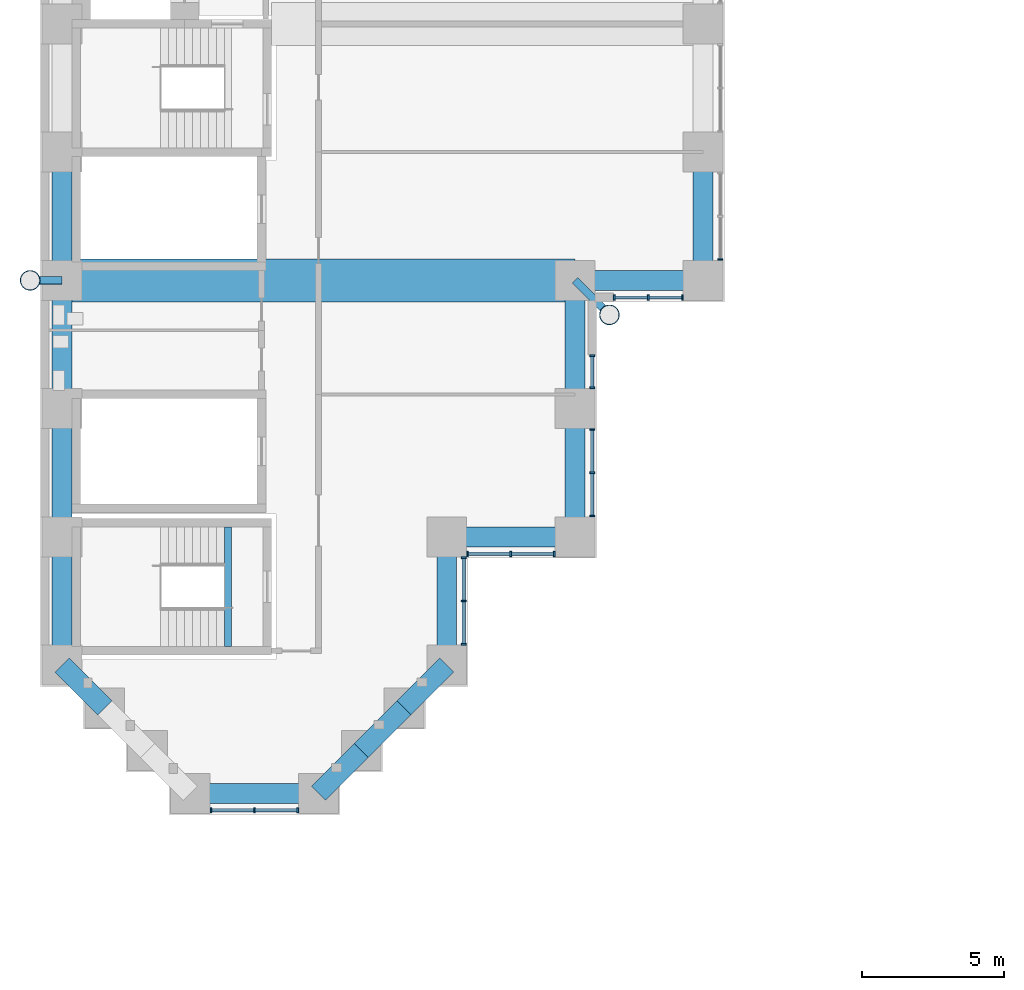
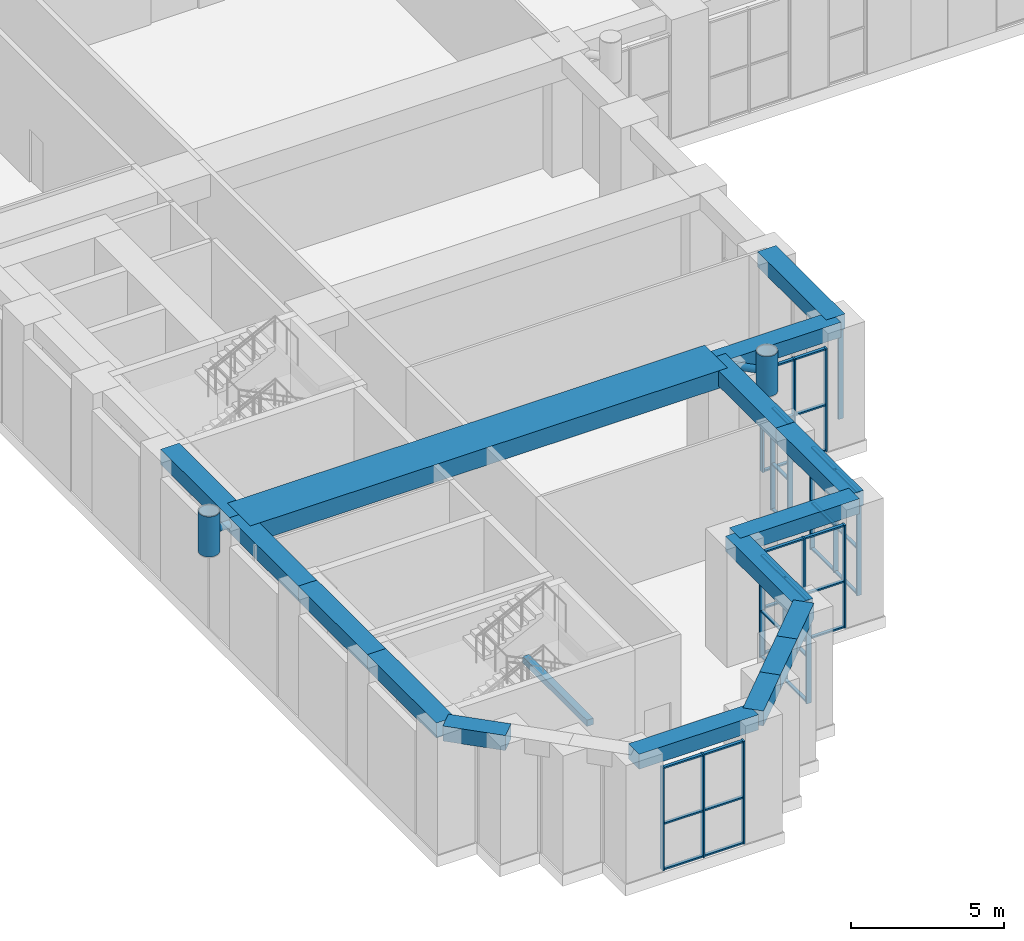
# One storey, part 2 of 35: 55 members, 17 beams, 7 elements without a shape of their own.
"""IFC4 building model written with IfcOpenShell, lengths in metres."""

from ifc_helpers import new_model, si_unit, direction, frame, origin, origin_2d, place, context, subcontext, project, spatial, rectangle, hollow_circle, extrude, material, material_profile, profile_set, type_object, element, aggregate, save


model = new_model("IFC4")

# Units and contexts
model_context = context("Model", 3, precision=1e-05, world=origin(), true_north=direction((0.0, 1.0)))
body_context = subcontext(model_context, "Body", "Model", "MODEL_VIEW")
ifc_project = project(units=[si_unit("LENGTHUNIT", "METRE"), si_unit("AREAUNIT", "SQUARE_METRE"), si_unit("VOLUMEUNIT", "CUBIC_METRE"), si_unit("PLANEANGLEUNIT", "RADIAN"), si_unit("MASSUNIT", "GRAM", prefix="KILO")], contexts=[model_context])

# Site, building, storey
site_placement = place(None, origin())
site = spatial("IfcSite", under=ifc_project, at=site_placement, CompositionType="ELEMENT")
building_placement = place(site_placement, origin())
building = spatial("IfcBuilding", under=site, at=building_placement, Name="Firuza Court", CompositionType="ELEMENT")
storey_placement = place(building_placement, frame((0.0, 0.0, 24.0)))
storey = spatial("IfcBuildingStorey", under=building, at=storey_placement, Name="L04", CompositionType="ELEMENT", Elevation=24.0)

# Beam
ifc_material_1 = material(Name="Concrete C40/50", Category="concrete")
ifc_material_profile_1 = material_profile(ifc_material_1, rectangle(XDim=1.5, YDim=0.699951171875, at=origin_2d()), Name="RC 1500x700")
ifc_profile_set_1 = profile_set([ifc_material_profile_1], Name="Concrete C40/50")
beam_type_1 = type_object("IfcBeamType", Name="Band beam RC 1500x700 C40/50", PredefinedType="BEAM", material=ifc_profile_set_1)
beam_1_placement = place(storey_placement, frame((0.0, 18.0, 4.35009765625), z_axis=(1.0, 0.0, 0.0), x_axis=(0.0, 1.0, 0.0)))
element("IfcBeam", 1, at=beam_1_placement, inside=storey, type_object=beam_type_1, Name="Band beam FB1 level L05", PredefinedType="BEAM", context=body_context, shape_type="SweptSolid", body=[
    extrude(rectangle(XDim=1.5, YDim=0.699951171875, at=origin_2d()), origin(), (0.0, 0.0, 1.0), 18.0),
])

# Members
ifc_material_2 = material(Name="Steel S355", Category="steel")
ifc_material_profile_2 = material_profile(ifc_material_2, hollow_circle(Radius=0.35546875, WallThickness=0.030029296875, at=origin_2d()), Name="CHS 711x30")
ifc_profile_set_2 = profile_set([ifc_material_profile_2], Name="Steel S355")
member_type_1 = type_object("IfcMemberType", Name="Diagrid node CHS 711x30 S355", PredefinedType="USERDEFINED", material=ifc_profile_set_2)
for number, where, z_axis, x_axis, name in (
    (2, (-1.1201171875, 18.0, 3.64990234375), (0.0, 0.0, 1.0), (1.0, 0.0, 0.0), "Diagrid node level L04"),
    (3, (19.2099609375, 16.7900390625, 3.64990234375), (0.0, 0.0, 1.0), (1.0, 0.0, 0.0), "Diagrid node level L04"),
):
    element("IfcMember", number, at=place(storey_placement, frame(where, z_axis=z_axis, x_axis=x_axis)), inside=storey, type_object=member_type_1, Name=name, ObjectType="DIAGRID NODE", PredefinedType="USERDEFINED", context=body_context, shape_type="SweptSolid", body=[
        extrude(hollow_circle(Radius=0.35546875, WallThickness=0.030029296875, at=origin_2d()), origin(), (0.0, 0.0, 1.0), 1.60009765625),
    ])
ifc_material_3 = material(Name="Steel S355", Category="steel")
ifc_material_profile_3 = material_profile(ifc_material_3, hollow_circle(Radius=0.136474609375, WallThickness=0.012451171875, at=origin_2d()), Name="CHS 273x12.5")
ifc_profile_set_3 = profile_set([ifc_material_profile_3], Name="Steel S355")
member_type_2 = type_object("IfcMemberType", Name="Diagrid tie CHS 273x12.5 S355", PredefinedType="STRUT", material=ifc_profile_set_3)
member_1_placement = place(storey_placement, frame((0.0, 18.0, 4.449951171875), z_axis=(-1.0, 0.0, 0.0), x_axis=(0.0, -1.0, 0.0)))
element("IfcMember", 4, at=member_1_placement, inside=storey, type_object=member_type_2, Name="Diagrid tie level L05", PredefinedType="STRUT", context=body_context, shape_type="SweptSolid", body=[
    extrude(hollow_circle(Radius=0.136474609375, WallThickness=0.012451171875, at=origin_2d()), origin(), (0.0, 0.0, 1.0), 1.1201171875),
])
member_2_placement = place(storey_placement, frame((18.0, 18.0, 4.449951171875), z_axis=(0.707106781187, -0.707106781187, 0.0), x_axis=(0.707106781187, 0.707106781187, 0.0)))
element("IfcMember", 5, at=member_2_placement, inside=storey, type_object=member_type_2, Name="Diagrid tie level L05", PredefinedType="STRUT", context=body_context, shape_type="SweptSolid", body=[
    extrude(hollow_circle(Radius=0.136474609375, WallThickness=0.012451171875, at=origin_2d()), origin(), (0.0, 0.0, 1.0), 1.711181640625),
])

# Beam
ifc_material_4 = material(Name="Concrete C40/50", Category="concrete")
ifc_material_profile_4 = material_profile(ifc_material_4, rectangle(XDim=0.25, YDim=0.25, at=origin_2d()), Name="RC 250x250")
ifc_profile_set_4 = profile_set([ifc_material_profile_4], Name="Concrete C40/50")
beam_type_2 = type_object("IfcBeamType", Name="Landing beam RC 250x250 C40/50", PredefinedType="BEAM", material=ifc_profile_set_4)
beam_2_placement = place(storey_placement, frame((5.824951171875, 5.14990234375, 2.175048828125), z_axis=(0.0, 1.0, 0.0), x_axis=(-1.0, 0.0, 0.0)))
element("IfcBeam", 6, at=beam_2_placement, inside=storey, type_object=beam_type_2, Name="Landing beam S5 L04", PredefinedType="BEAM", context=body_context, shape_type="SweptSolid", body=[
    extrude(rectangle(XDim=0.25, YDim=0.25, at=origin_2d()), origin(), (0.0, 0.0, 1.0), 4.2001953125),
])

# Curtain wall, members
ifc_material_5 = material(Name="Aluminium curtain wall, triple clear glazing", Category="aluminium")
curtain_wall_type = type_object("IfcCurtainWallType", Name="Podium unitised curtain wall CW1", PredefinedType="NOTDEFINED", material=ifc_material_5)
curtain_wall_1_placement = place(storey_placement, origin())
curtain_wall_1 = element("IfcCurtainWall", 7, at=curtain_wall_1_placement, inside=storey, type_object=curtain_wall_type, Name="Podium unitised curtain wall CW1 L04", PredefinedType="NOTDEFINED")
ifc_material_6 = material(Name="Aluminium EN AW-6060 T66", Category="aluminium")
ifc_material_profile_5 = material_profile(ifc_material_6, rectangle(XDim=0.179931640625, YDim=0.06005859375, at=origin_2d()), Name="Mullion 180 x 60 CW1")
ifc_profile_set_5 = profile_set([ifc_material_profile_5], Name="Aluminium EN AW-6060 T66")
member_type_3 = type_object("IfcMemberType", Name="Mullion 180 x 60 CW1", PredefinedType="MULLION", material=ifc_profile_set_5)
member_3_placement = place(storey_placement, frame((14.10009765625, 5.22998046875, 0.0), z_axis=(0.0, 0.0, 1.0), x_axis=(-1.0, 0.0, 0.0)))
member_3 = element("IfcMember", 8, at=member_3_placement, type_object=member_type_3, Name="CW1 mullion 1", PredefinedType="MULLION", context=body_context, shape_type="SweptSolid", body=[
    extrude(rectangle(XDim=0.179931640625, YDim=0.06005859375, at=origin_2d()), origin(), (0.0, 0.0, 1.0), 4.10009765625),
])
member_4_placement = place(storey_placement, frame((14.10009765625, 6.75, 0.0), z_axis=(0.0, 0.0, 1.0), x_axis=(-1.0, 0.0, 0.0)))
member_4 = element("IfcMember", 9, at=member_4_placement, type_object=member_type_3, Name="CW1 mullion 2", PredefinedType="MULLION", context=body_context, shape_type="SweptSolid", body=[
    extrude(rectangle(XDim=0.179931640625, YDim=0.06005859375, at=origin_2d()), origin(), (0.0, 0.0, 1.0), 4.10009765625),
])
member_5_placement = place(storey_placement, frame((14.10009765625, 8.27001953125, 0.0), z_axis=(0.0, 0.0, 1.0), x_axis=(-1.0, 0.0, 0.0)))
member_5 = element("IfcMember", 10, at=member_5_placement, type_object=member_type_3, Name="CW1 mullion 3", PredefinedType="MULLION", context=body_context, shape_type="SweptSolid", body=[
    extrude(rectangle(XDim=0.179931640625, YDim=0.06005859375, at=origin_2d()), origin(), (0.0, 0.0, 1.0), 4.10009765625),
])

curtain_wall_2_placement = place(storey_placement, origin())
curtain_wall_2 = element("IfcCurtainWall", 11, at=curtain_wall_2_placement, inside=storey, type_object=curtain_wall_type, Name="Podium unitised curtain wall CW1 L04", PredefinedType="NOTDEFINED")
member_6_placement = place(storey_placement, frame((14.22998046875, 8.39990234375, 0.0), z_axis=(0.0, 0.0, 1.0), x_axis=(0.0, 1.0, 0.0)))
member_6 = element("IfcMember", 12, at=member_6_placement, type_object=member_type_3, Name="CW1 mullion 1", PredefinedType="MULLION", context=body_context, shape_type="SweptSolid", body=[
    extrude(rectangle(XDim=0.179931640625, YDim=0.06005859375, at=origin_2d()), origin(), (0.0, 0.0, 1.0), 4.10009765625),
])
member_7_placement = place(storey_placement, frame((15.75, 8.39990234375, 0.0), z_axis=(0.0, 0.0, 1.0), x_axis=(0.0, 1.0, 0.0)))
member_7 = element("IfcMember", 13, at=member_7_placement, type_object=member_type_3, Name="CW1 mullion 2", PredefinedType="MULLION", context=body_context, shape_type="SweptSolid", body=[
    extrude(rectangle(XDim=0.179931640625, YDim=0.06005859375, at=origin_2d()), origin(), (0.0, 0.0, 1.0), 4.10009765625),
])
member_8_placement = place(storey_placement, frame((17.27001953125, 8.39990234375, 0.0), z_axis=(0.0, 0.0, 1.0), x_axis=(0.0, 1.0, 0.0)))
member_8 = element("IfcMember", 14, at=member_8_placement, type_object=member_type_3, Name="CW1 mullion 3", PredefinedType="MULLION", context=body_context, shape_type="SweptSolid", body=[
    extrude(rectangle(XDim=0.179931640625, YDim=0.06005859375, at=origin_2d()), origin(), (0.0, 0.0, 1.0), 4.10009765625),
])

curtain_wall_3_placement = place(storey_placement, origin())
curtain_wall_3 = element("IfcCurtainWall", 15, at=curtain_wall_3_placement, inside=storey, type_object=curtain_wall_type, Name="Podium unitised curtain wall CW1 L04", PredefinedType="NOTDEFINED")
member_9_placement = place(storey_placement, frame((18.60009765625, 9.72998046875, 0.0), z_axis=(0.0, 0.0, 1.0), x_axis=(-1.0, 0.0, 0.0)))
member_9 = element("IfcMember", 16, at=member_9_placement, type_object=member_type_3, Name="CW1 mullion 1", PredefinedType="MULLION", context=body_context, shape_type="SweptSolid", body=[
    extrude(rectangle(XDim=0.179931640625, YDim=0.06005859375, at=origin_2d()), origin(), (0.0, 0.0, 1.0), 4.10009765625),
])
member_10_placement = place(storey_placement, frame((18.60009765625, 11.25, 0.0), z_axis=(0.0, 0.0, 1.0), x_axis=(-1.0, 0.0, 0.0)))
member_10 = element("IfcMember", 17, at=member_10_placement, type_object=member_type_3, Name="CW1 mullion 2", PredefinedType="MULLION", context=body_context, shape_type="SweptSolid", body=[
    extrude(rectangle(XDim=0.179931640625, YDim=0.06005859375, at=origin_2d()), origin(), (0.0, 0.0, 1.0), 4.10009765625),
])
member_11_placement = place(storey_placement, frame((18.60009765625, 12.77001953125, 0.0), z_axis=(0.0, 0.0, 1.0), x_axis=(-1.0, 0.0, 0.0)))
member_11 = element("IfcMember", 18, at=member_11_placement, type_object=member_type_3, Name="CW1 mullion 3", PredefinedType="MULLION", context=body_context, shape_type="SweptSolid", body=[
    extrude(rectangle(XDim=0.179931640625, YDim=0.06005859375, at=origin_2d()), origin(), (0.0, 0.0, 1.0), 4.10009765625),
])

curtain_wall_4_placement = place(storey_placement, origin())
curtain_wall_4 = element("IfcCurtainWall", 19, at=curtain_wall_4_placement, inside=storey, type_object=curtain_wall_type, Name="Podium unitised curtain wall CW1 L04", PredefinedType="NOTDEFINED")
member_12_placement = place(storey_placement, frame((18.60009765625, 14.22998046875, 0.0), z_axis=(0.0, 0.0, 1.0), x_axis=(-1.0, 0.0, 0.0)))
member_12 = element("IfcMember", 20, at=member_12_placement, type_object=member_type_3, Name="CW1 mullion 1", PredefinedType="MULLION", context=body_context, shape_type="SweptSolid", body=[
    extrude(rectangle(XDim=0.179931640625, YDim=0.06005859375, at=origin_2d()), origin(), (0.0, 0.0, 1.0), 4.10009765625),
])
member_13_placement = place(storey_placement, frame((18.60009765625, 15.351806640625, 0.0), z_axis=(0.0, 0.0, 1.0), x_axis=(-1.0, 0.0, 0.0)))
member_13 = element("IfcMember", 21, at=member_13_placement, type_object=member_type_3, Name="CW1 mullion 2", PredefinedType="MULLION", context=body_context, shape_type="SweptSolid", body=[
    extrude(rectangle(XDim=0.179931640625, YDim=0.06005859375, at=origin_2d()), origin(), (0.0, 0.0, 1.0), 4.10009765625),
])

curtain_wall_5_placement = place(storey_placement, origin())
curtain_wall_5 = element("IfcCurtainWall", 22, at=curtain_wall_5_placement, inside=storey, type_object=curtain_wall_type, Name="Podium unitised curtain wall CW1 L04", PredefinedType="NOTDEFINED")
member_14_placement = place(storey_placement, frame((19.3798828125, 17.39990234375, 0.0), z_axis=(0.0, 0.0, 1.0), x_axis=(0.0, 1.0, 0.0)))
member_14 = element("IfcMember", 23, at=member_14_placement, type_object=member_type_3, Name="CW1 mullion 1", PredefinedType="MULLION", context=body_context, shape_type="SweptSolid", body=[
    extrude(rectangle(XDim=0.179931640625, YDim=0.06005859375, at=origin_2d()), origin(), (0.0, 0.0, 1.0), 4.10009765625),
])
member_15_placement = place(storey_placement, frame((20.574951171875, 17.39990234375, 0.0), z_axis=(0.0, 0.0, 1.0), x_axis=(0.0, 1.0, 0.0)))
member_15 = element("IfcMember", 24, at=member_15_placement, type_object=member_type_3, Name="CW1 mullion 2", PredefinedType="MULLION", context=body_context, shape_type="SweptSolid", body=[
    extrude(rectangle(XDim=0.179931640625, YDim=0.06005859375, at=origin_2d()), origin(), (0.0, 0.0, 1.0), 4.10009765625),
])
member_16_placement = place(storey_placement, frame((21.77001953125, 17.39990234375, 0.0), z_axis=(0.0, 0.0, 1.0), x_axis=(0.0, 1.0, 0.0)))
member_16 = element("IfcMember", 25, at=member_16_placement, type_object=member_type_3, Name="CW1 mullion 3", PredefinedType="MULLION", context=body_context, shape_type="SweptSolid", body=[
    extrude(rectangle(XDim=0.179931640625, YDim=0.06005859375, at=origin_2d()), origin(), (0.0, 0.0, 1.0), 4.10009765625),
])

# Curtain wall, member
curtain_wall_6_placement = place(storey_placement, origin())
curtain_wall_6 = element("IfcCurtainWall", 26, at=curtain_wall_6_placement, inside=storey, type_object=curtain_wall_type, Name="Podium unitised curtain wall CW1 L04", PredefinedType="NOTDEFINED")
member_17_placement = place(storey_placement, frame((23.10009765625, 18.72998046875, 0.0), z_axis=(0.0, 0.0, 1.0), x_axis=(-1.0, 0.0, 0.0)))
member_17 = element("IfcMember", 27, at=member_17_placement, type_object=member_type_3, Name="CW1 mullion 1", PredefinedType="MULLION", context=body_context, shape_type="SweptSolid", body=[
    extrude(rectangle(XDim=0.179931640625, YDim=0.06005859375, at=origin_2d()), origin(), (0.0, 0.0, 1.0), 4.10009765625),
])
aggregate(curtain_wall_6, [member_17])

# Curtain wall, members
curtain_wall_7_placement = place(storey_placement, origin())
curtain_wall_7 = element("IfcCurtainWall", 28, at=curtain_wall_7_placement, inside=storey, type_object=curtain_wall_type, Name="Podium unitised curtain wall CW1 L04", PredefinedType="NOTDEFINED")
member_18_placement = place(storey_placement, frame((5.22998046875, -0.60009765625, 0.0), z_axis=(0.0, 0.0, 1.0), x_axis=(0.0, 1.0, 0.0)))
member_18 = element("IfcMember", 29, at=member_18_placement, type_object=member_type_3, Name="CW1 mullion 1", PredefinedType="MULLION", context=body_context, shape_type="SweptSolid", body=[
    extrude(rectangle(XDim=0.179931640625, YDim=0.06005859375, at=origin_2d()), origin(), (0.0, 0.0, 1.0), 4.10009765625),
])
member_19_placement = place(storey_placement, frame((6.75, -0.60009765625, 0.0), z_axis=(0.0, 0.0, 1.0), x_axis=(0.0, 1.0, 0.0)))
member_19 = element("IfcMember", 30, at=member_19_placement, type_object=member_type_3, Name="CW1 mullion 2", PredefinedType="MULLION", context=body_context, shape_type="SweptSolid", body=[
    extrude(rectangle(XDim=0.179931640625, YDim=0.06005859375, at=origin_2d()), origin(), (0.0, 0.0, 1.0), 4.10009765625),
])
member_20_placement = place(storey_placement, frame((8.27001953125, -0.60009765625, 0.0), z_axis=(0.0, 0.0, 1.0), x_axis=(0.0, 1.0, 0.0)))
member_20 = element("IfcMember", 31, at=member_20_placement, type_object=member_type_3, Name="CW1 mullion 3", PredefinedType="MULLION", context=body_context, shape_type="SweptSolid", body=[
    extrude(rectangle(XDim=0.179931640625, YDim=0.06005859375, at=origin_2d()), origin(), (0.0, 0.0, 1.0), 4.10009765625),
])

# Beams
ifc_material_7 = material(Name="Concrete C40/50", Category="concrete")
ifc_material_profile_6 = material_profile(ifc_material_7, rectangle(XDim=0.699951171875, YDim=0.60009765625, at=origin_2d()), Name="RC 700x600")
ifc_profile_set_6 = profile_set([ifc_material_profile_6], Name="Concrete C40/50")
beam_type_3 = type_object("IfcBeamType", Name="Spandrel beam RC 700x600 C40/50", PredefinedType="BEAM", material=ifc_profile_set_6)
beam_3_placement = place(storey_placement, frame((0.0, 4.5, 4.39990234375), z_axis=(0.707106781187, -0.707106781187, 0.0), x_axis=(0.707106781187, 0.707106781187, 0.0)))
element("IfcBeam", 32, at=beam_3_placement, inside=storey, type_object=beam_type_3, Name="Spandrel beam SP10 level L05", PredefinedType="BEAM", context=body_context, shape_type="SweptSolid", body=[
    extrude(rectangle(XDim=0.699951171875, YDim=0.60009765625, at=origin_2d()), origin(), (0.0, 0.0, 1.0), 2.121337890625),
])
for number, where, z_axis, x_axis, name in (
    (33, (0.0, 9.0, 4.39990234375), (0.0, -1.0, 0.0), (1.0, 0.0, 0.0), "Spandrel beam SP10 level L05"),
    (34, (0.0, 13.5, 4.39990234375), (0.0, -1.0, 0.0), (1.0, 0.0, 0.0), "Spandrel beam SP10 level L05"),
    (35, (0.0, 18.0, 4.39990234375), (0.0, -1.0, 0.0), (1.0, 0.0, 0.0), "Spandrel beam SP10 level L05"),
    (36, (0.0, 22.5, 4.39990234375), (0.0, -1.0, 0.0), (1.0, 0.0, 0.0), "Spandrel beam SP10 level L05"),
    (37, (4.5, 0.0, 4.39990234375), (1.0, 0.0, 0.0), (0.0, 1.0, 0.0), "Spandrel beam SP10 level L05"),
):
    element("IfcBeam", number, at=place(storey_placement, frame(where, z_axis=z_axis, x_axis=x_axis)), inside=storey, type_object=beam_type_3, Name=name, PredefinedType="BEAM", context=body_context, shape_type="SweptSolid", body=[
        extrude(rectangle(XDim=0.699951171875, YDim=0.60009765625, at=origin_2d()), origin(), (0.0, 0.0, 1.0), 4.5),
    ])
for number, where, z_axis, x_axis, name in (
    (38, (9.0, 0.0, 4.39990234375), (0.707106781187, 0.707106781187, 0.0), (-0.707106781187, 0.707106781187, 0.0), "Spandrel beam SP10 level L05"),
    (39, (10.5, 1.5, 4.39990234375), (0.707106781187, 0.707106781187, 0.0), (-0.707106781187, 0.707106781187, 0.0), "Spandrel beam SP10 level L05"),
    (40, (12.0, 3.0, 4.39990234375), (0.707106781187, 0.707106781187, 0.0), (-0.707106781187, 0.707106781187, 0.0), "Spandrel beam SP10 level L05"),
):
    element("IfcBeam", number, at=place(storey_placement, frame(where, z_axis=z_axis, x_axis=x_axis)), inside=storey, type_object=beam_type_3, Name=name, PredefinedType="BEAM", context=body_context, shape_type="SweptSolid", body=[
        extrude(rectangle(XDim=0.699951171875, YDim=0.60009765625, at=origin_2d()), origin(), (0.0, 0.0, 1.0), 2.121337890625),
    ])
for number, where, z_axis, x_axis, name in (
    (41, (13.5, 4.5, 4.39990234375), (0.0, 1.0, 0.0), (-1.0, 0.0, 0.0), "Spandrel beam SP10 level L05"),
    (42, (13.5, 9.0, 4.39990234375), (1.0, 0.0, 0.0), (0.0, 1.0, 0.0), "Spandrel beam SP10 level L05"),
    (43, (18.0, 9.0, 4.39990234375), (0.0, 1.0, 0.0), (-1.0, 0.0, 0.0), "Spandrel beam SP10 level L05"),
    (44, (18.0, 13.5, 4.39990234375), (0.0, 1.0, 0.0), (-1.0, 0.0, 0.0), "Spandrel beam SP10 level L05"),
    (45, (18.0, 18.0, 4.39990234375), (1.0, 0.0, 0.0), (0.0, 1.0, 0.0), "Spandrel beam SP10 level L05"),
    (46, (22.5, 18.0, 4.39990234375), (0.0, 1.0, 0.0), (-1.0, 0.0, 0.0), "Spandrel beam SP10 level L05"),
):
    element("IfcBeam", number, at=place(storey_placement, frame(where, z_axis=z_axis, x_axis=x_axis)), inside=storey, type_object=beam_type_3, Name=name, PredefinedType="BEAM", context=body_context, shape_type="SweptSolid", body=[
        extrude(rectangle(XDim=0.699951171875, YDim=0.60009765625, at=origin_2d()), origin(), (0.0, 0.0, 1.0), 4.5),
    ])

# Member
ifc_material_8 = material(Name="Aluminium EN AW-6060 T66", Category="aluminium")
ifc_material_profile_7 = material_profile(ifc_material_8, rectangle(XDim=0.1201171875, YDim=0.06005859375, at=origin_2d()), Name="Transom 120 x 60 CW1")
ifc_profile_set_7 = profile_set([ifc_material_profile_7], Name="Aluminium EN AW-6060 T66")
member_type_4 = type_object("IfcMemberType", Name="Transom 120 x 60 CW1", PredefinedType="USERDEFINED", material=ifc_profile_set_7)
member_21_placement = place(storey_placement, frame((14.10009765625, 5.260009765625, 0.030029296875), z_axis=(0.0, 1.0, 0.0), x_axis=(-1.0, 0.0, 0.0)))
member_21 = element("IfcMember", 47, at=member_21_placement, type_object=member_type_4, Name="CW1 transom 1.1", ObjectType="TRANSOM", PredefinedType="USERDEFINED", context=body_context, shape_type="SweptSolid", body=[
    extrude(rectangle(XDim=0.1201171875, YDim=0.06005859375, at=origin_2d()), origin(), (0.0, 0.0, 1.0), 1.4599609375),
])

member_22_placement = place(storey_placement, frame((14.10009765625, 5.260009765625, 1.844970703125), z_axis=(0.0, 1.0, 0.0), x_axis=(-1.0, 0.0, 0.0)))
member_22 = element("IfcMember", 48, at=member_22_placement, type_object=member_type_4, Name="CW1 transom 1.2", ObjectType="TRANSOM", PredefinedType="USERDEFINED", context=body_context, shape_type="SweptSolid", body=[
    extrude(rectangle(XDim=0.1201171875, YDim=0.06005859375, at=origin_2d()), origin(), (0.0, 0.0, 1.0), 1.4599609375),
])

member_23_placement = place(storey_placement, frame((14.10009765625, 5.260009765625, 4.070068359375), z_axis=(0.0, 1.0, 0.0), x_axis=(-1.0, 0.0, 0.0)))
member_23 = element("IfcMember", 49, at=member_23_placement, type_object=member_type_4, Name="CW1 transom 1.3", ObjectType="TRANSOM", PredefinedType="USERDEFINED", context=body_context, shape_type="SweptSolid", body=[
    extrude(rectangle(XDim=0.1201171875, YDim=0.06005859375, at=origin_2d()), origin(), (0.0, 0.0, 1.0), 1.4599609375),
])

member_24_placement = place(storey_placement, frame((14.10009765625, 6.780029296875, 0.030029296875), z_axis=(0.0, 1.0, 0.0), x_axis=(-1.0, 0.0, 0.0)))
member_24 = element("IfcMember", 50, at=member_24_placement, type_object=member_type_4, Name="CW1 transom 2.1", ObjectType="TRANSOM", PredefinedType="USERDEFINED", context=body_context, shape_type="SweptSolid", body=[
    extrude(rectangle(XDim=0.1201171875, YDim=0.06005859375, at=origin_2d()), origin(), (0.0, 0.0, 1.0), 1.4599609375),
])

member_25_placement = place(storey_placement, frame((14.10009765625, 6.780029296875, 1.844970703125), z_axis=(0.0, 1.0, 0.0), x_axis=(-1.0, 0.0, 0.0)))
member_25 = element("IfcMember", 51, at=member_25_placement, type_object=member_type_4, Name="CW1 transom 2.2", ObjectType="TRANSOM", PredefinedType="USERDEFINED", context=body_context, shape_type="SweptSolid", body=[
    extrude(rectangle(XDim=0.1201171875, YDim=0.06005859375, at=origin_2d()), origin(), (0.0, 0.0, 1.0), 1.4599609375),
])

member_26_placement = place(storey_placement, frame((14.10009765625, 6.780029296875, 4.070068359375), z_axis=(0.0, 1.0, 0.0), x_axis=(-1.0, 0.0, 0.0)))
member_26 = element("IfcMember", 52, at=member_26_placement, type_object=member_type_4, Name="CW1 transom 2.3", ObjectType="TRANSOM", PredefinedType="USERDEFINED", context=body_context, shape_type="SweptSolid", body=[
    extrude(rectangle(XDim=0.1201171875, YDim=0.06005859375, at=origin_2d()), origin(), (0.0, 0.0, 1.0), 1.4599609375),
])

aggregate(curtain_wall_1, [member_3, member_4, member_5, member_21, member_22, member_23, member_24, member_25, member_26])

member_27_placement = place(storey_placement, frame((14.260009765625, 8.39990234375, 0.030029296875), z_axis=(1.0, 0.0, 0.0), x_axis=(0.0, 1.0, 0.0)))
member_27 = element("IfcMember", 53, at=member_27_placement, type_object=member_type_4, Name="CW1 transom 1.1", ObjectType="TRANSOM", PredefinedType="USERDEFINED", context=body_context, shape_type="SweptSolid", body=[
    extrude(rectangle(XDim=0.1201171875, YDim=0.06005859375, at=origin_2d()), origin(), (0.0, 0.0, 1.0), 1.4599609375),
])

member_28_placement = place(storey_placement, frame((14.260009765625, 8.39990234375, 1.844970703125), z_axis=(1.0, 0.0, 0.0), x_axis=(0.0, 1.0, 0.0)))
member_28 = element("IfcMember", 54, at=member_28_placement, type_object=member_type_4, Name="CW1 transom 1.2", ObjectType="TRANSOM", PredefinedType="USERDEFINED", context=body_context, shape_type="SweptSolid", body=[
    extrude(rectangle(XDim=0.1201171875, YDim=0.06005859375, at=origin_2d()), origin(), (0.0, 0.0, 1.0), 1.4599609375),
])

member_29_placement = place(storey_placement, frame((14.260009765625, 8.39990234375, 4.070068359375), z_axis=(1.0, 0.0, 0.0), x_axis=(0.0, 1.0, 0.0)))
member_29 = element("IfcMember", 55, at=member_29_placement, type_object=member_type_4, Name="CW1 transom 1.3", ObjectType="TRANSOM", PredefinedType="USERDEFINED", context=body_context, shape_type="SweptSolid", body=[
    extrude(rectangle(XDim=0.1201171875, YDim=0.06005859375, at=origin_2d()), origin(), (0.0, 0.0, 1.0), 1.4599609375),
])

member_30_placement = place(storey_placement, frame((15.780029296875, 8.39990234375, 0.030029296875), z_axis=(1.0, 0.0, 0.0), x_axis=(0.0, 1.0, 0.0)))
member_30 = element("IfcMember", 56, at=member_30_placement, type_object=member_type_4, Name="CW1 transom 2.1", ObjectType="TRANSOM", PredefinedType="USERDEFINED", context=body_context, shape_type="SweptSolid", body=[
    extrude(rectangle(XDim=0.1201171875, YDim=0.06005859375, at=origin_2d()), origin(), (0.0, 0.0, 1.0), 1.4599609375),
])

member_31_placement = place(storey_placement, frame((15.780029296875, 8.39990234375, 1.844970703125), z_axis=(1.0, 0.0, 0.0), x_axis=(0.0, 1.0, 0.0)))
member_31 = element("IfcMember", 57, at=member_31_placement, type_object=member_type_4, Name="CW1 transom 2.2", ObjectType="TRANSOM", PredefinedType="USERDEFINED", context=body_context, shape_type="SweptSolid", body=[
    extrude(rectangle(XDim=0.1201171875, YDim=0.06005859375, at=origin_2d()), origin(), (0.0, 0.0, 1.0), 1.4599609375),
])

member_32_placement = place(storey_placement, frame((15.780029296875, 8.39990234375, 4.070068359375), z_axis=(1.0, 0.0, 0.0), x_axis=(0.0, 1.0, 0.0)))
member_32 = element("IfcMember", 58, at=member_32_placement, type_object=member_type_4, Name="CW1 transom 2.3", ObjectType="TRANSOM", PredefinedType="USERDEFINED", context=body_context, shape_type="SweptSolid", body=[
    extrude(rectangle(XDim=0.1201171875, YDim=0.06005859375, at=origin_2d()), origin(), (0.0, 0.0, 1.0), 1.4599609375),
])

aggregate(curtain_wall_2, [member_6, member_7, member_8, member_27, member_28, member_29, member_30, member_31, member_32])

member_33_placement = place(storey_placement, frame((18.60009765625, 9.760009765625, 0.030029296875), z_axis=(0.0, 1.0, 0.0), x_axis=(-1.0, 0.0, 0.0)))
member_33 = element("IfcMember", 59, at=member_33_placement, type_object=member_type_4, Name="CW1 transom 1.1", ObjectType="TRANSOM", PredefinedType="USERDEFINED", context=body_context, shape_type="SweptSolid", body=[
    extrude(rectangle(XDim=0.1201171875, YDim=0.06005859375, at=origin_2d()), origin(), (0.0, 0.0, 1.0), 1.4599609375),
])

member_34_placement = place(storey_placement, frame((18.60009765625, 9.760009765625, 1.844970703125), z_axis=(0.0, 1.0, 0.0), x_axis=(-1.0, 0.0, 0.0)))
member_34 = element("IfcMember", 60, at=member_34_placement, type_object=member_type_4, Name="CW1 transom 1.2", ObjectType="TRANSOM", PredefinedType="USERDEFINED", context=body_context, shape_type="SweptSolid", body=[
    extrude(rectangle(XDim=0.1201171875, YDim=0.06005859375, at=origin_2d()), origin(), (0.0, 0.0, 1.0), 1.4599609375),
])

member_35_placement = place(storey_placement, frame((18.60009765625, 9.760009765625, 4.070068359375), z_axis=(0.0, 1.0, 0.0), x_axis=(-1.0, 0.0, 0.0)))
member_35 = element("IfcMember", 61, at=member_35_placement, type_object=member_type_4, Name="CW1 transom 1.3", ObjectType="TRANSOM", PredefinedType="USERDEFINED", context=body_context, shape_type="SweptSolid", body=[
    extrude(rectangle(XDim=0.1201171875, YDim=0.06005859375, at=origin_2d()), origin(), (0.0, 0.0, 1.0), 1.4599609375),
])

member_36_placement = place(storey_placement, frame((18.60009765625, 11.280029296875, 0.030029296875), z_axis=(0.0, 1.0, 0.0), x_axis=(-1.0, 0.0, 0.0)))
member_36 = element("IfcMember", 62, at=member_36_placement, type_object=member_type_4, Name="CW1 transom 2.1", ObjectType="TRANSOM", PredefinedType="USERDEFINED", context=body_context, shape_type="SweptSolid", body=[
    extrude(rectangle(XDim=0.1201171875, YDim=0.06005859375, at=origin_2d()), origin(), (0.0, 0.0, 1.0), 1.4599609375),
])

member_37_placement = place(storey_placement, frame((18.60009765625, 11.280029296875, 1.844970703125), z_axis=(0.0, 1.0, 0.0), x_axis=(-1.0, 0.0, 0.0)))
member_37 = element("IfcMember", 63, at=member_37_placement, type_object=member_type_4, Name="CW1 transom 2.2", ObjectType="TRANSOM", PredefinedType="USERDEFINED", context=body_context, shape_type="SweptSolid", body=[
    extrude(rectangle(XDim=0.1201171875, YDim=0.06005859375, at=origin_2d()), origin(), (0.0, 0.0, 1.0), 1.4599609375),
])

member_38_placement = place(storey_placement, frame((18.60009765625, 11.280029296875, 4.070068359375), z_axis=(0.0, 1.0, 0.0), x_axis=(-1.0, 0.0, 0.0)))
member_38 = element("IfcMember", 64, at=member_38_placement, type_object=member_type_4, Name="CW1 transom 2.3", ObjectType="TRANSOM", PredefinedType="USERDEFINED", context=body_context, shape_type="SweptSolid", body=[
    extrude(rectangle(XDim=0.1201171875, YDim=0.06005859375, at=origin_2d()), origin(), (0.0, 0.0, 1.0), 1.4599609375),
])

aggregate(curtain_wall_3, [member_9, member_10, member_11, member_33, member_34, member_35, member_36, member_37, member_38])

member_39_placement = place(storey_placement, frame((18.60009765625, 14.260009765625, 0.030029296875), z_axis=(0.0, 1.0, 0.0), x_axis=(-1.0, 0.0, 0.0)))
member_39 = element("IfcMember", 65, at=member_39_placement, type_object=member_type_4, Name="CW1 transom 1.1", ObjectType="TRANSOM", PredefinedType="USERDEFINED", context=body_context, shape_type="SweptSolid", body=[
    extrude(rectangle(XDim=0.1201171875, YDim=0.06005859375, at=origin_2d()), origin(), (0.0, 0.0, 1.0), 1.06201171875),
])

member_40_placement = place(storey_placement, frame((18.60009765625, 14.260009765625, 1.844970703125), z_axis=(0.0, 1.0, 0.0), x_axis=(-1.0, 0.0, 0.0)))
member_40 = element("IfcMember", 66, at=member_40_placement, type_object=member_type_4, Name="CW1 transom 1.2", ObjectType="TRANSOM", PredefinedType="USERDEFINED", context=body_context, shape_type="SweptSolid", body=[
    extrude(rectangle(XDim=0.1201171875, YDim=0.06005859375, at=origin_2d()), origin(), (0.0, 0.0, 1.0), 1.06201171875),
])

member_41_placement = place(storey_placement, frame((18.60009765625, 14.260009765625, 4.070068359375), z_axis=(0.0, 1.0, 0.0), x_axis=(-1.0, 0.0, 0.0)))
member_41 = element("IfcMember", 67, at=member_41_placement, type_object=member_type_4, Name="CW1 transom 1.3", ObjectType="TRANSOM", PredefinedType="USERDEFINED", context=body_context, shape_type="SweptSolid", body=[
    extrude(rectangle(XDim=0.1201171875, YDim=0.06005859375, at=origin_2d()), origin(), (0.0, 0.0, 1.0), 1.06201171875),
])

aggregate(curtain_wall_4, [member_12, member_13, member_39, member_40, member_41])

member_42_placement = place(storey_placement, frame((19.409912109375, 17.39990234375, 0.030029296875), z_axis=(1.0, 0.0, 0.0), x_axis=(0.0, 1.0, 0.0)))
member_42 = element("IfcMember", 68, at=member_42_placement, type_object=member_type_4, Name="CW1 transom 1.1", ObjectType="TRANSOM", PredefinedType="USERDEFINED", context=body_context, shape_type="SweptSolid", body=[
    extrude(rectangle(XDim=0.1201171875, YDim=0.06005859375, at=origin_2d()), origin(), (0.0, 0.0, 1.0), 1.135009765625),
])

member_43_placement = place(storey_placement, frame((19.409912109375, 17.39990234375, 1.844970703125), z_axis=(1.0, 0.0, 0.0), x_axis=(0.0, 1.0, 0.0)))
member_43 = element("IfcMember", 69, at=member_43_placement, type_object=member_type_4, Name="CW1 transom 1.2", ObjectType="TRANSOM", PredefinedType="USERDEFINED", context=body_context, shape_type="SweptSolid", body=[
    extrude(rectangle(XDim=0.1201171875, YDim=0.06005859375, at=origin_2d()), origin(), (0.0, 0.0, 1.0), 1.135009765625),
])

member_44_placement = place(storey_placement, frame((19.409912109375, 17.39990234375, 4.070068359375), z_axis=(1.0, 0.0, 0.0), x_axis=(0.0, 1.0, 0.0)))
member_44 = element("IfcMember", 70, at=member_44_placement, type_object=member_type_4, Name="CW1 transom 1.3", ObjectType="TRANSOM", PredefinedType="USERDEFINED", context=body_context, shape_type="SweptSolid", body=[
    extrude(rectangle(XDim=0.1201171875, YDim=0.06005859375, at=origin_2d()), origin(), (0.0, 0.0, 1.0), 1.135009765625),
])

member_45_placement = place(storey_placement, frame((20.60498046875, 17.39990234375, 0.030029296875), z_axis=(1.0, 0.0, 0.0), x_axis=(0.0, 1.0, 0.0)))
member_45 = element("IfcMember", 71, at=member_45_placement, type_object=member_type_4, Name="CW1 transom 2.1", ObjectType="TRANSOM", PredefinedType="USERDEFINED", context=body_context, shape_type="SweptSolid", body=[
    extrude(rectangle(XDim=0.1201171875, YDim=0.06005859375, at=origin_2d()), origin(), (0.0, 0.0, 1.0), 1.135009765625),
])

member_46_placement = place(storey_placement, frame((20.60498046875, 17.39990234375, 1.844970703125), z_axis=(1.0, 0.0, 0.0), x_axis=(0.0, 1.0, 0.0)))
member_46 = element("IfcMember", 72, at=member_46_placement, type_object=member_type_4, Name="CW1 transom 2.2", ObjectType="TRANSOM", PredefinedType="USERDEFINED", context=body_context, shape_type="SweptSolid", body=[
    extrude(rectangle(XDim=0.1201171875, YDim=0.06005859375, at=origin_2d()), origin(), (0.0, 0.0, 1.0), 1.135009765625),
])

member_47_placement = place(storey_placement, frame((20.60498046875, 17.39990234375, 4.070068359375), z_axis=(1.0, 0.0, 0.0), x_axis=(0.0, 1.0, 0.0)))
member_47 = element("IfcMember", 73, at=member_47_placement, type_object=member_type_4, Name="CW1 transom 2.3", ObjectType="TRANSOM", PredefinedType="USERDEFINED", context=body_context, shape_type="SweptSolid", body=[
    extrude(rectangle(XDim=0.1201171875, YDim=0.06005859375, at=origin_2d()), origin(), (0.0, 0.0, 1.0), 1.135009765625),
])

aggregate(curtain_wall_5, [member_14, member_15, member_16, member_42, member_43, member_44, member_45, member_46, member_47])

member_48_placement = place(storey_placement, frame((5.260009765625, -0.60009765625, 0.030029296875), z_axis=(1.0, 0.0, 0.0), x_axis=(0.0, 1.0, 0.0)))
member_48 = element("IfcMember", 74, at=member_48_placement, type_object=member_type_4, Name="CW1 transom 1.1", ObjectType="TRANSOM", PredefinedType="USERDEFINED", context=body_context, shape_type="SweptSolid", body=[
    extrude(rectangle(XDim=0.1201171875, YDim=0.06005859375, at=origin_2d()), origin(), (0.0, 0.0, 1.0), 1.4599609375),
])

member_49_placement = place(storey_placement, frame((5.260009765625, -0.60009765625, 1.844970703125), z_axis=(1.0, 0.0, 0.0), x_axis=(0.0, 1.0, 0.0)))
member_49 = element("IfcMember", 75, at=member_49_placement, type_object=member_type_4, Name="CW1 transom 1.2", ObjectType="TRANSOM", PredefinedType="USERDEFINED", context=body_context, shape_type="SweptSolid", body=[
    extrude(rectangle(XDim=0.1201171875, YDim=0.06005859375, at=origin_2d()), origin(), (0.0, 0.0, 1.0), 1.4599609375),
])

member_50_placement = place(storey_placement, frame((5.260009765625, -0.60009765625, 4.070068359375), z_axis=(1.0, 0.0, 0.0), x_axis=(0.0, 1.0, 0.0)))
member_50 = element("IfcMember", 76, at=member_50_placement, type_object=member_type_4, Name="CW1 transom 1.3", ObjectType="TRANSOM", PredefinedType="USERDEFINED", context=body_context, shape_type="SweptSolid", body=[
    extrude(rectangle(XDim=0.1201171875, YDim=0.06005859375, at=origin_2d()), origin(), (0.0, 0.0, 1.0), 1.4599609375),
])

member_51_placement = place(storey_placement, frame((6.780029296875, -0.60009765625, 0.030029296875), z_axis=(1.0, 0.0, 0.0), x_axis=(0.0, 1.0, 0.0)))
member_51 = element("IfcMember", 77, at=member_51_placement, type_object=member_type_4, Name="CW1 transom 2.1", ObjectType="TRANSOM", PredefinedType="USERDEFINED", context=body_context, shape_type="SweptSolid", body=[
    extrude(rectangle(XDim=0.1201171875, YDim=0.06005859375, at=origin_2d()), origin(), (0.0, 0.0, 1.0), 1.4599609375),
])

member_52_placement = place(storey_placement, frame((6.780029296875, -0.60009765625, 1.844970703125), z_axis=(1.0, 0.0, 0.0), x_axis=(0.0, 1.0, 0.0)))
member_52 = element("IfcMember", 78, at=member_52_placement, type_object=member_type_4, Name="CW1 transom 2.2", ObjectType="TRANSOM", PredefinedType="USERDEFINED", context=body_context, shape_type="SweptSolid", body=[
    extrude(rectangle(XDim=0.1201171875, YDim=0.06005859375, at=origin_2d()), origin(), (0.0, 0.0, 1.0), 1.4599609375),
])

member_53_placement = place(storey_placement, frame((6.780029296875, -0.60009765625, 4.070068359375), z_axis=(1.0, 0.0, 0.0), x_axis=(0.0, 1.0, 0.0)))
member_53 = element("IfcMember", 79, at=member_53_placement, type_object=member_type_4, Name="CW1 transom 2.3", ObjectType="TRANSOM", PredefinedType="USERDEFINED", context=body_context, shape_type="SweptSolid", body=[
    extrude(rectangle(XDim=0.1201171875, YDim=0.06005859375, at=origin_2d()), origin(), (0.0, 0.0, 1.0), 1.4599609375),
])

aggregate(curtain_wall_7, [member_18, member_19, member_20, member_48, member_49, member_50, member_51, member_52, member_53])

save(model, "model.ifc")
